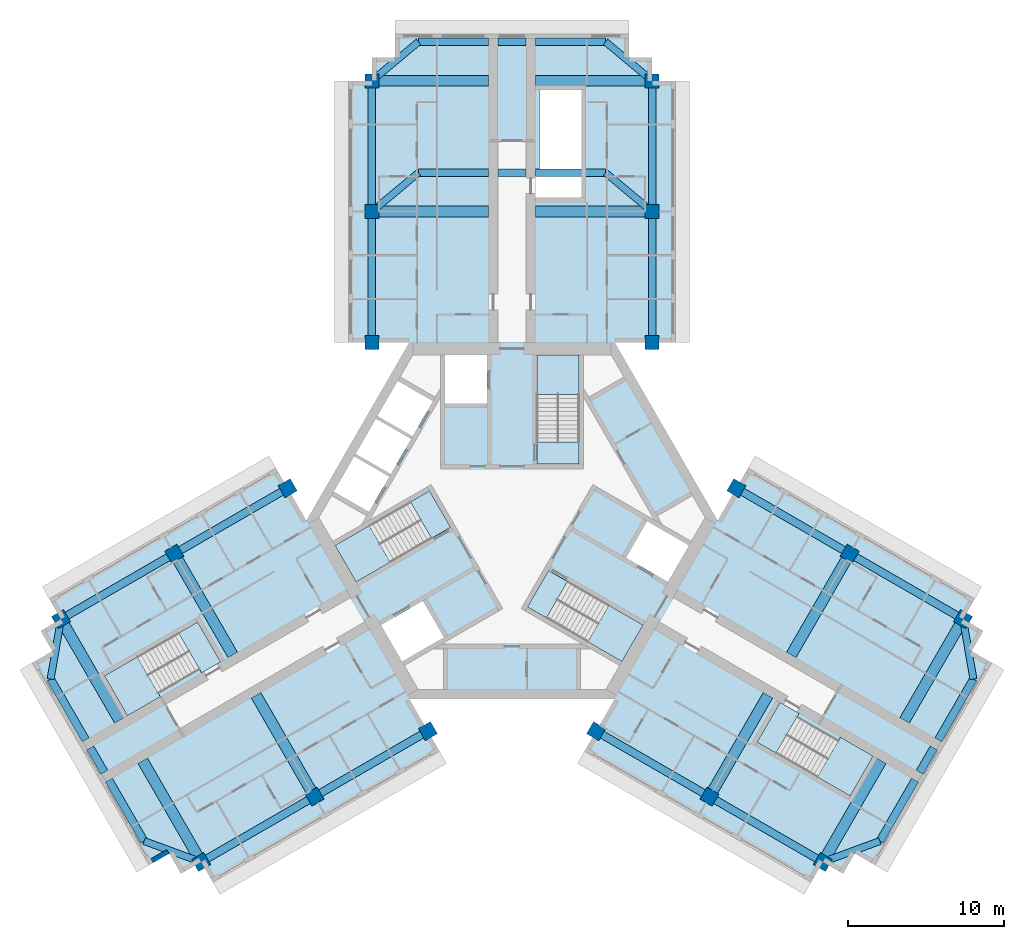
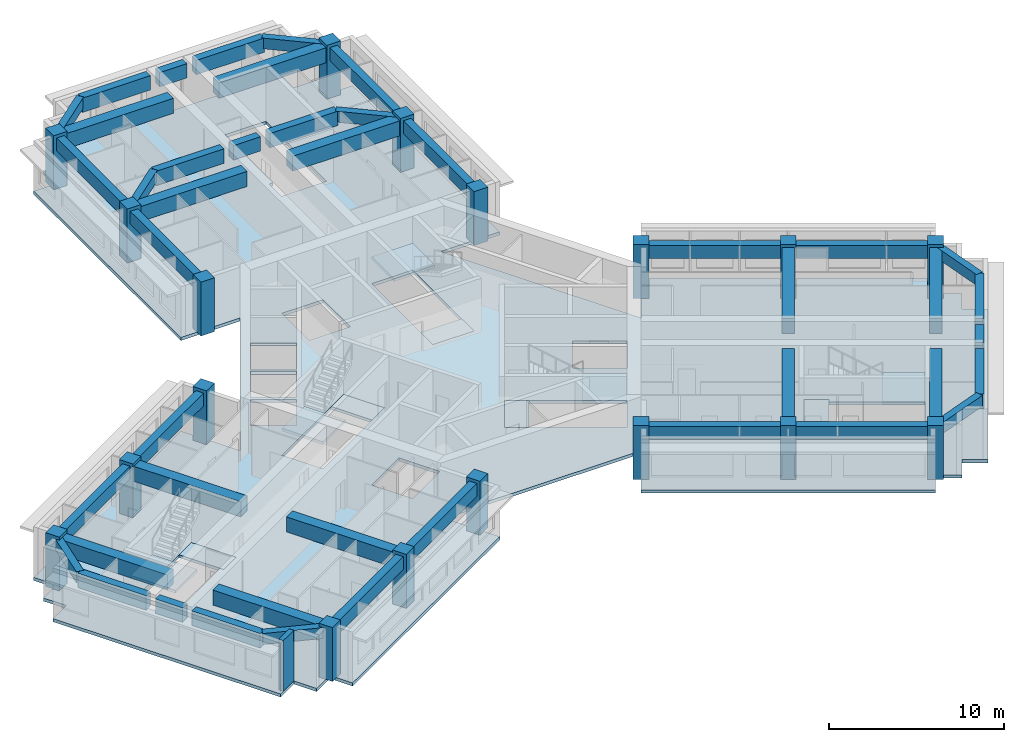
# One storey, part 1 of 10: 44 beams, 18 columns, 11 slabs, 1 wall, 5 elements without a shape of their own.
"""IFC4 building model written with IfcOpenShell, lengths in metres."""

from ifc_helpers import new_model, si_unit, direction, frame, frame_2d, origin, origin_2d, place, context, subcontext, project, spatial, polyline, rectangle, outline, extrude, material, layer, layer_set, material_profile, profile_set, type_object, element, aggregate, save


model = new_model("IFC4")

# Units and contexts
model_context = context("Model", 3, precision=1e-05, world=origin(), true_north=direction((0.0, 1.0)))
body_context = subcontext(model_context, "Body", "Model", "MODEL_VIEW")
ifc_project = project(units=[si_unit("LENGTHUNIT", "METRE"), si_unit("AREAUNIT", "SQUARE_METRE"), si_unit("VOLUMEUNIT", "CUBIC_METRE"), si_unit("PLANEANGLEUNIT", "RADIAN"), si_unit("MASSUNIT", "GRAM", prefix="KILO")], contexts=[model_context])

# Site, building, storey
site_placement = place(None, origin())
site = spatial("IfcSite", under=ifc_project, at=site_placement, CompositionType="ELEMENT")
building_placement = place(site_placement, origin())
building = spatial("IfcBuilding", under=site, at=building_placement, Name="Impinga Residences", CompositionType="ELEMENT")
storey_placement = place(building_placement, frame((0.0, 0.0, 271.0)))
storey = spatial("IfcBuildingStorey", under=building, at=storey_placement, Name="L68", CompositionType="ELEMENT", Elevation=271.0)

# Columns
ifc_material_1 = material(Name="Concrete C60/75", Category="concrete")
ifc_material_profile_1 = material_profile(ifc_material_1, rectangle(XDim=0.89990234375, YDim=0.89990234375, at=origin_2d()), Name="RC 900x900")
ifc_profile_set_1 = profile_set([ifc_material_profile_1], Name="Concrete C60/75")
column_type = type_object("IfcColumnType", Name="C5 900x900 column", PredefinedType="COLUMN", material=ifc_profile_set_1)
for number, where, z_axis, x_axis, name in (
    (1, (-9.0, 11.431640625, 0.0), (0.0, 0.0, 1.0), (1.0, 0.0, 0.0), "Column C5 N1/NA L68"),
    (2, (9.0, 11.431640625, 0.0), (0.0, 0.0, 1.0), (1.0, 0.0, 0.0), "Column C5 N1/NF L68"),
    (3, (-9.0, 19.83154296875, 0.0), (0.0, 0.0, 1.0), (1.0, 0.0, 0.0), "Column C5 N2/NA L68"),
    (4, (9.0, 19.83154296875, 0.0), (0.0, 0.0, 1.0), (1.0, 0.0, 0.0), "Column C5 N2/NF L68"),
    (5, (-9.0, 28.2314453125, 0.0), (0.0, 0.0, 1.0), (1.0, 0.0, 0.0), "Column C5 N3/NA L68"),
    (6, (9.0, 28.2314453125, 0.0), (0.0, 0.0, 1.0), (1.0, 0.0, 0.0), "Column C5 N3/NF L68"),
    (7, (-5.39990234375, -13.510009765625, 0.0), (0.0, 0.0, 1.0), (-0.5, 0.866025403784, 0.0), "Column C5 W1/WA L68"),
    (8, (-14.39990234375, 2.078369140625, 0.0), (0.0, 0.0, 1.0), (-0.5, 0.866025403784, 0.0), "Column C5 W1/WF L68"),
    (9, (-12.674560546875, -17.7099609375, 0.0), (0.0, 0.0, 1.0), (-0.5, 0.866025403784, 0.0), "Column C5 W2/WA L68"),
    (10, (-21.674560546875, -2.12158203125, 0.0), (0.0, 0.0, 1.0), (-0.5, 0.866025403784, 0.0), "Column C5 W2/WF L68"),
    (11, (-19.94921875, -21.909912109375, 0.0), (0.0, 0.0, 1.0), (-0.5, 0.866025403784, 0.0), "Column C5 W3/WA L68"),
    (12, (-28.94921875, -6.321533203125, 0.0), (0.0, 0.0, 1.0), (-0.5, 0.866025403784, 0.0), "Column C5 W3/WF L68"),
    (13, (14.39990234375, 2.078369140625, 0.0), (0.0, 0.0, 1.0), (-0.5, -0.866025403784, 0.0), "Column C5 E1/EA L68"),
    (14, (5.39990234375, -13.510009765625, 0.0), (0.0, 0.0, 1.0), (-0.5, -0.866025403784, 0.0), "Column C5 E1/EF L68"),
    (15, (21.674560546875, -2.12158203125, 0.0), (0.0, 0.0, 1.0), (-0.5, -0.866025403784, 0.0), "Column C5 E2/EA L68"),
    (16, (12.674560546875, -17.7099609375, 0.0), (0.0, 0.0, 1.0), (-0.5, -0.866025403784, 0.0), "Column C5 E2/EF L68"),
    (17, (28.94921875, -6.321533203125, 0.0), (0.0, 0.0, 1.0), (-0.5, -0.866025403784, 0.0), "Column C5 E3/EA L68"),
    (18, (19.94921875, -21.909912109375, 0.0), (0.0, 0.0, 1.0), (-0.5, -0.866025403784, 0.0), "Column C5 E3/EF L68"),
):
    element("IfcColumn", number, at=place(storey_placement, frame(where, z_axis=z_axis, x_axis=x_axis)), inside=storey, type_object=column_type, Name=name, PredefinedType="COLUMN", context=body_context, shape_type="SweptSolid", body=[
        extrude(rectangle(XDim=0.89990234375, YDim=0.89990234375, at=origin_2d()), origin(), (0.0, 0.0, 1.0), 3.75),
    ])

# Beams
ifc_material_profile_2 = material_profile(ifc_material_1, rectangle(XDim=0.449951171875, YDim=0.75, at=origin_2d()), Name="RC 450x750")
ifc_profile_set_2 = profile_set([ifc_material_profile_2], Name="Concrete C60/75")
beam_type_1 = type_object("IfcBeamType", Name="CB1 450x750 wing end cantilever beam", PredefinedType="BEAM", material=ifc_profile_set_2)
for number, where, z_axis, x_axis, name in (
    (19, (-9.0, 19.83154296875, 3.155029296875), (0.768221279597, 0.640184399664, 0.0), (-0.640184399664, 0.768221279597, 0.0), "Beam CB1 NB N2-NX level L69"),
    (20, (9.0, 19.83154296875, 3.155029296875), (-0.768221279597, 0.640184399664, 0.0), (-0.640184399664, -0.768221279597, 0.0), "Beam CB1 NE N2-NX level L69"),
    (21, (-9.0, 28.2314453125, 3.155029296875), (0.768221279597, 0.640184399664, 0.0), (-0.640184399664, 0.768221279597, 0.0), "Beam CB1 NB N3-NX level L69"),
    (22, (9.0, 28.2314453125, 3.155029296875), (-0.768221279597, 0.640184399664, 0.0), (-0.640184399664, -0.768221279597, 0.0), "Beam CB1 NE N3-NX level L69"),
    (23, (-19.94921875, -21.909912109375, 3.155029296875), (-0.93854043338, 0.345169313396, 0.0), (-0.345169313396, -0.93854043338, 0.0), "Beam CB1 WB W3-WX level L69"),
):
    element("IfcBeam", number, at=place(storey_placement, frame(where, z_axis=z_axis, x_axis=x_axis)), inside=storey, type_object=beam_type_1, Name=name, PredefinedType="BEAM", context=body_context, shape_type="SweptSolid", body=[
        extrude(rectangle(XDim=0.449951171875, YDim=0.75, at=origin_2d()), origin(), (0.0, 0.0, 1.0), 3.905029296875),
    ])
for number, where, z_axis, x_axis, name in (
    (24, (-28.94921875, -6.321533203125, 3.155029296875), (-0.170296298948, -0.985392901621, 0.0), (0.985392901621, -0.170296298948, 0.0), "Beam CB1 WE W3-WX level L69"),
    (25, (28.94921875, -6.321533203125, 3.155029296875), (0.170296298948, -0.985392901621, 0.0), (0.985392901621, 0.170296298948, 0.0), "Beam CB1 EB E3-EX level L69"),
):
    element("IfcBeam", number, at=place(storey_placement, frame(where, z_axis=z_axis, x_axis=x_axis)), inside=storey, type_object=beam_type_1, Name=name, PredefinedType="BEAM", context=body_context, shape_type="SweptSolid", body=[
        extrude(rectangle(XDim=0.449951171875, YDim=0.75, at=origin_2d()), origin(), (0.0, 0.0, 1.0), 3.9052734375),
    ])
beam_1_placement = place(storey_placement, frame((19.94921875, -21.909912109375, 3.155029296875), z_axis=(0.93854043338, 0.345169313396, 0.0), x_axis=(-0.345169313396, 0.93854043338, 0.0)))
element("IfcBeam", 26, at=beam_1_placement, inside=storey, type_object=beam_type_1, Name="Beam CB1 EE E3-EX level L69", PredefinedType="BEAM", context=body_context, shape_type="SweptSolid", body=[
    extrude(rectangle(XDim=0.449951171875, YDim=0.75, at=origin_2d()), origin(), (0.0, 0.0, 1.0), 3.905029296875),
])
ifc_material_profile_3 = material_profile(ifc_material_1, rectangle(XDim=0.699951171875, YDim=1.050048828125, at=origin_2d()), Name="RC 700x1050")
ifc_profile_set_3 = profile_set([ifc_material_profile_3], Name="Concrete C60/75")
beam_type_2 = type_object("IfcBeamType", Name="CG1 700x1050 cross girder on a wing bay line", PredefinedType="BEAM", material=ifc_profile_set_3)
for number, where, z_axis, x_axis, name in (
    (27, (-1.5, 19.83154296875, 3.0048828125), (-1.0, 0.0, 0.0), (0.0, -1.0, 0.0), "Beam CG1 N2 NC/NA level L69"),
    (28, (-1.5, 28.2314453125, 3.0048828125), (-1.0, 0.0, 0.0), (0.0, -1.0, 0.0), "Beam CG1 N3 NC/NA level L69"),
    (29, (1.5, 19.83154296875, 3.0048828125), (1.0, 0.0, 0.0), (0.0, 1.0, 0.0), "Beam CG1 N2 NC/NF level L69"),
    (30, (1.5, 28.2314453125, 3.0048828125), (1.0, 0.0, 0.0), (0.0, 1.0, 0.0), "Beam CG1 N3 NC/NF level L69"),
    (31, (-16.424560546875, -11.21484375, 3.0048828125), (0.500004234368, -0.866022959057, 0.0), (0.866022959057, 0.500004234368, 0.0), "Beam CG1 W2 WC/WA level L69"),
    (32, (-23.69921875, -15.414794921875, 3.0048828125), (0.500004234368, -0.866022959057, 0.0), (0.866022959057, 0.500004234368, 0.0), "Beam CG1 W3 WC/WA level L69"),
    (33, (-17.924560546875, -8.61669921875, 3.0048828125), (-0.500004234368, 0.866022959057, 0.0), (-0.866022959057, -0.500004234368, 0.0), "Beam CG1 W2 WC/WF level L69"),
    (34, (-25.19921875, -12.816650390625, 3.0048828125), (-0.500004234368, 0.866022959057, 0.0), (-0.866022959057, -0.500004234368, 0.0), "Beam CG1 W3 WC/WF level L69"),
    (35, (17.924560546875, -8.61669921875, 3.0048828125), (0.500004234368, 0.866022959057, 0.0), (-0.866022959057, 0.500004234368, 0.0), "Beam CG1 E2 EC/EA level L69"),
    (36, (25.19921875, -12.816650390625, 3.0048828125), (0.500004234368, 0.866022959057, 0.0), (-0.866022959057, 0.500004234368, 0.0), "Beam CG1 E3 EC/EA level L69"),
    (37, (16.424560546875, -11.21484375, 3.0048828125), (-0.500004234368, -0.866022959057, 0.0), (0.866022959057, -0.500004234368, 0.0), "Beam CG1 E2 EC/EF level L69"),
    (38, (23.69921875, -15.414794921875, 3.0048828125), (-0.500004234368, -0.866022959057, 0.0), (0.866022959057, -0.500004234368, 0.0), "Beam CG1 E3 EC/EF level L69"),
):
    element("IfcBeam", number, at=place(storey_placement, frame(where, z_axis=z_axis, x_axis=x_axis)), inside=storey, type_object=beam_type_2, Name=name, PredefinedType="BEAM", context=body_context, shape_type="SweptSolid", body=[
        extrude(rectangle(XDim=0.699951171875, YDim=1.050048828125, at=origin_2d()), origin(), (0.0, 0.0, 1.0), 7.5),
    ])
ifc_material_profile_4 = material_profile(ifc_material_1, rectangle(XDim=0.5, YDim=1.0, at=origin_2d()), Name="RC 500x1000")
ifc_profile_set_4 = profile_set([ifc_material_profile_4], Name="Concrete C60/75")
beam_type_3 = type_object("IfcBeamType", Name="EB1 500x1000 wing end beam", PredefinedType="BEAM", material=ifc_profile_set_4)
beam_2_placement = place(storey_placement, frame((-6.0, 22.33154296875, 3.030029296875), z_axis=(1.0, 0.0, 0.0), x_axis=(0.0, 1.0, 0.0)))
element("IfcBeam", 39, at=beam_2_placement, inside=storey, type_object=beam_type_3, Name="Beam EB1 NX1 level L69", PredefinedType="BEAM", context=body_context, shape_type="SweptSolid", body=[
    extrude(rectangle(XDim=0.5, YDim=1.0, at=origin_2d()), origin(), (0.0, 0.0, 1.0), 4.5),
])
beam_3_placement = place(storey_placement, frame((-0.89990234375, 22.33154296875, 3.030029296875), z_axis=(1.0, 0.0, 0.0), x_axis=(0.0, 1.0, 0.0)))
element("IfcBeam", 40, at=beam_3_placement, inside=storey, type_object=beam_type_3, Name="Beam EB1 NX1 level L69", PredefinedType="BEAM", context=body_context, shape_type="SweptSolid", body=[
    extrude(rectangle(XDim=0.5, YDim=1.0, at=origin_2d()), origin(), (0.0, 0.0, 1.0), 1.7998046875),
])
for number, where, z_axis, x_axis, name in (
    (41, (1.5, 22.33154296875, 3.030029296875), (1.0, 0.0, 0.0), (0.0, 1.0, 0.0), "Beam EB1 NX1 level L69"),
    (42, (-6.0, 30.7314453125, 3.030029296875), (1.0, 0.0, 0.0), (0.0, 1.0, 0.0), "Beam EB1 NX2 level L69"),
):
    element("IfcBeam", number, at=place(storey_placement, frame(where, z_axis=z_axis, x_axis=x_axis)), inside=storey, type_object=beam_type_3, Name=name, PredefinedType="BEAM", context=body_context, shape_type="SweptSolid", body=[
        extrude(rectangle(XDim=0.5, YDim=1.0, at=origin_2d()), origin(), (0.0, 0.0, 1.0), 4.5),
    ])
beam_4_placement = place(storey_placement, frame((-0.89990234375, 30.7314453125, 3.030029296875), z_axis=(1.0, 0.0, 0.0), x_axis=(0.0, 1.0, 0.0)))
element("IfcBeam", 43, at=beam_4_placement, inside=storey, type_object=beam_type_3, Name="Beam EB1 NX2 level L69", PredefinedType="BEAM", context=body_context, shape_type="SweptSolid", body=[
    extrude(rectangle(XDim=0.5, YDim=1.0, at=origin_2d()), origin(), (0.0, 0.0, 1.0), 1.7998046875),
])
for number, where, z_axis, x_axis, name in (
    (44, (1.5, 30.7314453125, 3.030029296875), (1.0, 0.0, 0.0), (0.0, 1.0, 0.0), "Beam EB1 NX2 level L69"),
    (45, (-23.6142578125, -20.56201171875, 3.030029296875), (-0.499990139034, 0.866031096941, 0.0), (-0.866031096941, -0.499990139034, 0.0), "Beam EB1 WX2 level L69"),
):
    element("IfcBeam", number, at=place(storey_placement, frame(where, z_axis=z_axis, x_axis=x_axis)), inside=storey, type_object=beam_type_3, Name=name, PredefinedType="BEAM", context=body_context, shape_type="SweptSolid", body=[
        extrude(rectangle(XDim=0.5, YDim=1.0, at=origin_2d()), origin(), (0.0, 0.0, 1.0), 4.5),
    ])
beam_5_placement = place(storey_placement, frame((-26.164306640625, -16.145263671875, 3.030029296875), z_axis=(-0.499961193289, 0.866047807691, 0.0), x_axis=(-0.866047807691, -0.499961193289, 0.0)))
element("IfcBeam", 46, at=beam_5_placement, inside=storey, type_object=beam_type_3, Name="Beam EB1 WX2 level L69", PredefinedType="BEAM", context=body_context, shape_type="SweptSolid", body=[
    extrude(rectangle(XDim=0.5, YDim=1.0, at=origin_2d()), origin(), (0.0, 0.0, 1.0), 1.800048828125),
])
for number, where, z_axis, x_axis, name in (
    (47, (-27.3642578125, -14.066650390625, 3.030029296875), (-0.500013631625, 0.866017533419, 0.0), (-0.866017533419, -0.500013631625, 0.0), "Beam EB1 WX2 level L69"),
    (48, (29.6142578125, -10.169677734375, 3.030029296875), (-0.500013631625, -0.866017533419, 0.0), (0.866017533419, -0.500013631625, 0.0), "Beam EB1 EX2 level L69"),
):
    element("IfcBeam", number, at=place(storey_placement, frame(where, z_axis=z_axis, x_axis=x_axis)), inside=storey, type_object=beam_type_3, Name=name, PredefinedType="BEAM", context=body_context, shape_type="SweptSolid", body=[
        extrude(rectangle(XDim=0.5, YDim=1.0, at=origin_2d()), origin(), (0.0, 0.0, 1.0), 4.499755859375),
    ])
beam_6_placement = place(storey_placement, frame((27.064208984375, -14.58642578125, 3.030029296875), z_axis=(-0.499961193289, -0.866047807691, 0.0), x_axis=(0.866047807691, -0.499961193289, 0.0)))
element("IfcBeam", 49, at=beam_6_placement, inside=storey, type_object=beam_type_3, Name="Beam EB1 EX2 level L69", PredefinedType="BEAM", context=body_context, shape_type="SweptSolid", body=[
    extrude(rectangle(XDim=0.5, YDim=1.0, at=origin_2d()), origin(), (0.0, 0.0, 1.0), 1.800048828125),
])
beam_7_placement = place(storey_placement, frame((25.8642578125, -16.664794921875, 3.030029296875), z_axis=(-0.499990139034, -0.866031096941, 0.0), x_axis=(0.866031096941, -0.499990139034, 0.0)))
element("IfcBeam", 50, at=beam_7_placement, inside=storey, type_object=beam_type_3, Name="Beam EB1 EX2 level L69", PredefinedType="BEAM", context=body_context, shape_type="SweptSolid", body=[
    extrude(rectangle(XDim=0.5, YDim=1.0, at=origin_2d()), origin(), (0.0, 0.0, 1.0), 4.5),
])
ifc_material_profile_5 = material_profile(ifc_material_1, rectangle(XDim=0.5, YDim=0.89990234375, at=origin_2d()), Name="RC 500x900")
ifc_profile_set_5 = profile_set([ifc_material_profile_5], Name="Concrete C60/75")
beam_type_4 = type_object("IfcBeamType", Name="SB1 500x900 perimeter spandrel beam", PredefinedType="SPANDREL", material=ifc_profile_set_5)
for number, where, z_axis, x_axis, name in (
    (51, (-9.0, 11.431640625, 3.080078125), (0.0, 1.0, 0.0), (-1.0, 0.0, 0.0), "Beam SB1 NA N1-N2 level L69"),
    (52, (-9.0, 19.83154296875, 3.080078125), (0.0, 1.0, 0.0), (-1.0, 0.0, 0.0), "Beam SB1 NA N2-N3 level L69"),
    (53, (9.0, 11.431640625, 3.080078125), (0.0, 1.0, 0.0), (-1.0, 0.0, 0.0), "Beam SB1 NF N1-N2 level L69"),
    (54, (9.0, 19.83154296875, 3.080078125), (0.0, 1.0, 0.0), (-1.0, 0.0, 0.0), "Beam SB1 NF N2-N3 level L69"),
    (55, (-5.39990234375, -13.510009765625, 3.080078125), (-0.86602925447, -0.499993330357, 0.0), (0.499993330357, -0.86602925447, 0.0), "Beam SB1 WA W1-W2 level L69"),
    (56, (-12.674560546875, -17.7099609375, 3.080078125), (-0.86602925447, -0.499993330357, 0.0), (0.499993330357, -0.86602925447, 0.0), "Beam SB1 WA W2-W3 level L69"),
    (57, (-14.39990234375, 2.078369140625, 3.080078125), (-0.86602925447, -0.499993330357, 0.0), (0.499993330357, -0.86602925447, 0.0), "Beam SB1 WF W1-W2 level L69"),
    (58, (-21.674560546875, -2.12158203125, 3.080078125), (-0.86602925447, -0.499993330357, 0.0), (0.499993330357, -0.86602925447, 0.0), "Beam SB1 WF W2-W3 level L69"),
    (59, (14.39990234375, 2.078369140625, 3.080078125), (0.86602925447, -0.499993330357, 0.0), (0.499993330357, 0.86602925447, 0.0), "Beam SB1 EA E1-E2 level L69"),
    (60, (21.674560546875, -2.12158203125, 3.080078125), (0.86602925447, -0.499993330357, 0.0), (0.499993330357, 0.86602925447, 0.0), "Beam SB1 EA E2-E3 level L69"),
    (61, (5.39990234375, -13.510009765625, 3.080078125), (0.86602925447, -0.499993330357, 0.0), (0.499993330357, 0.86602925447, 0.0), "Beam SB1 EF E1-E2 level L69"),
    (62, (12.674560546875, -17.7099609375, 3.080078125), (0.86602925447, -0.499993330357, 0.0), (0.499993330357, 0.86602925447, 0.0), "Beam SB1 EF E2-E3 level L69"),
):
    element("IfcBeam", number, at=place(storey_placement, frame(where, z_axis=z_axis, x_axis=x_axis)), inside=storey, type_object=beam_type_4, Name=name, PredefinedType="SPANDREL", context=body_context, shape_type="SweptSolid", body=[
        extrude(rectangle(XDim=0.5, YDim=0.89990234375, at=origin_2d()), origin(), (0.0, 0.0, 1.0), 8.39990234375),
    ])

# Slab
ifc_layer_1 = layer(ifc_material_1, 0.219970703125)
ifc_layer_set_1 = layer_set([ifc_layer_1], Name="Concrete C60/75")
slab_type_1 = type_object("IfcSlabType", Name="FS1 tower floor slab 220", PredefinedType="FLOOR", material=ifc_layer_set_1)
slab_1_placement = place(storey_placement, frame((0.0, 0.0, -0.219970703125)))
element("IfcSlab", 63, at=slab_1_placement, inside=storey, type_object=slab_type_1, Name="Floor slab FS1 L68", PredefinedType="FLOOR", context=body_context, shape_type="SweptSolid", body=[
    extrude(outline(polyline([(-19.94921875, -21.909912109375), (-21.248291015625, -22.659912109375), (-21.998291015625, -21.36083984375), (-23.29736328125, -22.11083984375), (-30.79736328125, -9.12060546875), (-29.498291015625, -8.37060546875), (-30.248291015625, -7.071533203125), (-28.94921875, -6.321533203125), (-29.69921875, -5.0224609375), (-15.14990234375, 3.37744140625), (-13.199951171875, 0.0), (-6.60009765625, 11.431640625), (-10.5, 11.431640625), (-10.5, 28.2314453125), (-9.0, 28.2314453125), (-9.0, 29.7314453125), (-7.5, 29.7314453125), (-7.5, 31.2314453125), (7.5, 31.2314453125), (7.5, 29.7314453125), (9.0, 29.7314453125), (9.0, 28.2314453125), (10.5, 28.2314453125), (10.5, 11.431640625), (6.60009765625, 11.431640625), (13.199951171875, 0.0), (15.14990234375, 3.37744140625), (29.69921875, -5.0224609375), (28.94921875, -6.321533203125), (30.248291015625, -7.071533203125), (29.498291015625, -8.37060546875), (30.79736328125, -9.12060546875), (23.29736328125, -22.11083984375), (21.998291015625, -21.36083984375), (21.248291015625, -22.659912109375), (19.94921875, -21.909912109375), (19.19921875, -23.208984375), (4.64990234375, -14.80908203125), (9.900146484375, -5.7158203125), (6.60009765625, -11.431640625), (-6.60009765625, -11.431640625), (-9.900146484375, -5.7158203125), (-4.64990234375, -14.80908203125), (-19.19921875, -23.208984375), (-19.94921875, -21.909912109375)]), holes=[polyline([(-18.7041015625, -9.066650390625), (-18.8291015625, -8.850341796875), (-18.8291015625, -8.850341796875), (-20.178955078125, -6.511962890625), (-21.391357421875, -7.2119140625), (-21.391357421875, -7.2119140625), (-26.154541015625, -9.9619140625), (-24.8046875, -12.30029296875), (-20.04150390625, -9.55029296875), (-19.91650390625, -9.766845703125), (-18.7041015625, -9.066650390625)]), polyline([(-5.72119140625, -5.150634765625), (-8.4072265625, -6.701416015625), (-7.05712890625, -9.039794921875), (-4.37109375, -7.489013671875), (-5.72119140625, -5.150634765625)]), polyline([(-5.293701171875, 1.908935546875), (-11.357177734375, -1.591796875), (-10.007080078125, -3.93017578125), (-3.943603515625, -0.429443359375), (-5.293701171875, 1.908935546875)]), polyline([(-7.878662109375, 2.816650390625), (-10.13037109375, 4.11669921875), (-11.430419921875, 1.864990234375), (-9.1787109375, 0.56494140625), (-7.878662109375, 2.816650390625)]), polyline([(-6.478759765625, 5.24169921875), (-8.73046875, 6.54150390625), (-10.0302734375, 4.2900390625), (-7.77880859375, 2.989990234375), (-6.478759765625, 5.24169921875)]), polyline([(-6.378662109375, 5.414794921875), (-5.07861328125, 7.66650390625), (-7.330322265625, 8.966552734375), (-8.63037109375, 6.71484375), (-6.378662109375, 5.414794921875)]), polyline([(-4.300048828125, 7.530029296875), (-1.60009765625, 7.530029296875), (-1.60009765625, 10.631591796875), (-4.300048828125, 10.631591796875), (-4.300048828125, 7.530029296875)]), polyline([(15.72900390625, -14.219482421875), (21.70458984375, -17.669677734375), (23.0546875, -15.331298828125), (18.29150390625, -12.581298828125), (18.41650390625, -12.36474609375), (17.2041015625, -11.664794921875), (15.72900390625, -14.219482421875)]), polyline([(0.99365234375, -5.538818359375), (7.05712890625, -9.039794921875), (8.4072265625, -6.701416015625), (2.34375, -3.20068359375), (0.99365234375, -5.538818359375)]), polyline([(7.3212890625, -2.37939453125), (10.007080078125, -3.93017578125), (11.357177734375, -1.591796875), (8.671142578125, -0.041015625), (7.3212890625, -2.37939453125)]), polyline([(4.300048828125, 3.6298828125), (4.300048828125, 10.631591796875), (1.60009765625, 10.631591796875), (1.60009765625, 3.6298828125), (4.300048828125, 3.6298828125)]), polyline([(1.75, 22.131591796875), (1.5, 22.131591796875), (1.5, 20.7314453125), (1.75, 20.7314453125), (4.449951171875, 20.7314453125), (4.449951171875, 22.131591796875), (4.449951171875, 27.631591796875), (1.75, 27.631591796875), (1.75, 22.131591796875)])]), origin(), (0.0, 0.0, 1.0), 0.219970703125),
])

# Stair, slabs
ifc_material_2 = material(Name="Concrete C40/50", Category="concrete")
stair_type_1 = type_object("IfcStairType", Name="STR core stair 3750 storey, 24 risers", PredefinedType="HALF_TURN_STAIR", material=ifc_material_2)
stair_1_placement = place(storey_placement, origin())
stair_1 = element("IfcStair", 64, at=stair_1_placement, inside=storey, type_object=stair_type_1, Name="Stair ST1 L68", PredefinedType="HALF_TURN_STAIR")
ifc_layer_2 = layer(ifc_material_2, 0.199951171875)
ifc_layer_set_2 = layer_set([ifc_layer_2], Name="Concrete C40/50")
slab_type_2 = type_object("IfcSlabType", Name="LS1 stair landing 200", PredefinedType="LANDING", material=ifc_layer_set_2)
slab_2_placement = place(storey_placement, frame((0.0, 0.0, -0.199951171875)))
slab_2 = element("IfcSlab", 65, at=slab_2_placement, type_object=slab_type_2, Name="ST1 landing 1", PredefinedType="LANDING", context=body_context, shape_type="SweptSolid", body=[
    extrude(outline(polyline([(1.60009765625, 3.6298828125), (4.300048828125, 3.6298828125), (4.300048828125, 5.0400390625), (1.60009765625, 5.0400390625), (1.60009765625, 3.6298828125)])), origin(), (0.0, 0.0, 1.0), 0.199951171875),
])
slab_3_placement = place(storey_placement, frame((0.0, 0.0, 1.675048828125)))
slab_3 = element("IfcSlab", 66, at=slab_3_placement, type_object=slab_type_2, Name="ST1 landing 2", PredefinedType="LANDING", context=body_context, shape_type="SweptSolid", body=[
    extrude(outline(polyline([(1.60009765625, 8.10009765625), (4.300048828125, 8.10009765625), (4.300048828125, 10.631591796875), (1.60009765625, 10.631591796875), (1.60009765625, 8.10009765625)])), origin(), (0.0, 0.0, 1.0), 0.199951171875),
])
aggregate(stair_1, [slab_2, slab_3])

stair_2_placement = place(storey_placement, origin())
stair_2 = element("IfcStair", 67, at=stair_2_placement, inside=storey, type_object=stair_type_1, Name="Stair ST2 L68", PredefinedType="HALF_TURN_STAIR")
slab_4_placement = place(storey_placement, frame((0.0, 0.0, -0.199951171875)))
slab_4 = element("IfcSlab", 68, at=slab_4_placement, type_object=slab_type_2, Name="ST2 landing 1", PredefinedType="LANDING", context=body_context, shape_type="SweptSolid", body=[
    extrude(outline(polyline([(-3.943603515625, -0.429443359375), (-5.293701171875, 1.908935546875), (-6.5146484375, 1.203857421875), (-5.164794921875, -1.13427734375), (-3.943603515625, -0.429443359375)])), origin(), (0.0, 0.0, 1.0), 0.199951171875),
])
slab_5_placement = place(storey_placement, frame((0.0, 0.0, 1.675048828125)))
slab_5 = element("IfcSlab", 69, at=slab_5_placement, type_object=slab_type_2, Name="ST2 landing 2", PredefinedType="LANDING", context=body_context, shape_type="SweptSolid", body=[
    extrude(outline(polyline([(-7.814697265625, -2.664306640625), (-9.164794921875, -0.326171875), (-11.357177734375, -1.591796875), (-10.007080078125, -3.93017578125), (-7.814697265625, -2.664306640625)])), origin(), (0.0, 0.0, 1.0), 0.199951171875),
])
aggregate(stair_2, [slab_4, slab_5])

stair_3_placement = place(storey_placement, origin())
stair_3 = element("IfcStair", 70, at=stair_3_placement, inside=storey, type_object=stair_type_1, Name="Stair ST3 L68", PredefinedType="HALF_TURN_STAIR")
slab_6_placement = place(storey_placement, frame((0.0, 0.0, -0.199951171875)))
slab_6 = element("IfcSlab", 71, at=slab_6_placement, type_object=slab_type_2, Name="ST3 landing 1", PredefinedType="LANDING", context=body_context, shape_type="SweptSolid", body=[
    extrude(outline(polyline([(2.34375, -3.20068359375), (0.99365234375, -5.538818359375), (2.21484375, -6.243896484375), (3.564697265625, -3.90576171875), (2.34375, -3.20068359375)])), origin(), (0.0, 0.0, 1.0), 0.199951171875),
])
slab_7_placement = place(storey_placement, frame((0.0, 0.0, 1.675048828125)))
slab_7 = element("IfcSlab", 72, at=slab_7_placement, type_object=slab_type_2, Name="ST3 landing 2", PredefinedType="LANDING", context=body_context, shape_type="SweptSolid", body=[
    extrude(outline(polyline([(6.21484375, -5.435546875), (4.86474609375, -7.77392578125), (7.05712890625, -9.039794921875), (8.4072265625, -6.701416015625), (6.21484375, -5.435546875)])), origin(), (0.0, 0.0, 1.0), 0.199951171875),
])
aggregate(stair_3, [slab_6, slab_7])

stair_type_2 = type_object("IfcStairType", Name="STR wing stair 3750 storey, 24 risers", PredefinedType="HALF_TURN_STAIR", material=ifc_material_2)
stair_4_placement = place(storey_placement, origin())
stair_4 = element("IfcStair", 73, at=stair_4_placement, inside=storey, type_object=stair_type_2, Name="Stair WS2 L68", PredefinedType="HALF_TURN_STAIR")
slab_8_placement = place(storey_placement, frame((0.0, 0.0, -0.199951171875)))
slab_8 = element("IfcSlab", 74, at=slab_8_placement, type_object=slab_type_2, Name="WS2 landing 1", PredefinedType="LANDING", context=body_context, shape_type="SweptSolid", body=[
    extrude(outline(polyline([(-18.7041015625, -9.066650390625), (-20.178955078125, -6.511962890625), (-21.400146484375, -7.217041015625), (-19.925048828125, -9.771728515625), (-18.7041015625, -9.066650390625)])), origin(), (0.0, 0.0, 1.0), 0.199951171875),
])
slab_9_placement = place(storey_placement, frame((0.0, 0.0, 1.675048828125)))
slab_9 = element("IfcSlab", 75, at=slab_9_placement, type_object=slab_type_2, Name="WS2 landing 2", PredefinedType="LANDING", context=body_context, shape_type="SweptSolid", body=[
    extrude(outline(polyline([(-22.5751953125, -11.3017578125), (-24.050048828125, -8.7470703125), (-26.154541015625, -9.9619140625), (-24.6796875, -12.516845703125), (-22.5751953125, -11.3017578125)])), origin(), (0.0, 0.0, 1.0), 0.199951171875),
])
aggregate(stair_4, [slab_8, slab_9])

stair_5_placement = place(storey_placement, origin())
stair_5 = element("IfcStair", 76, at=stair_5_placement, inside=storey, type_object=stair_type_2, Name="Stair WS3 L68", PredefinedType="HALF_TURN_STAIR")
slab_10_placement = place(storey_placement, frame((0.0, 0.0, -0.199951171875)))
slab_10 = element("IfcSlab", 77, at=slab_10_placement, type_object=slab_type_2, Name="WS3 landing 1", PredefinedType="LANDING", context=body_context, shape_type="SweptSolid", body=[
    extrude(outline(polyline([(17.2041015625, -11.664794921875), (15.72900390625, -14.219482421875), (16.9501953125, -14.924560546875), (18.425048828125, -12.369873046875), (17.2041015625, -11.664794921875)])), origin(), (0.0, 0.0, 1.0), 0.199951171875),
])
slab_11_placement = place(storey_placement, frame((0.0, 0.0, 1.675048828125)))
slab_11 = element("IfcSlab", 78, at=slab_11_placement, type_object=slab_type_2, Name="WS3 landing 2", PredefinedType="LANDING", context=body_context, shape_type="SweptSolid", body=[
    extrude(outline(polyline([(21.0751953125, -13.89990234375), (19.60009765625, -16.45458984375), (21.70458984375, -17.669677734375), (23.1796875, -15.11474609375), (21.0751953125, -13.89990234375)])), origin(), (0.0, 0.0, 1.0), 0.199951171875),
])
aggregate(stair_5, [slab_10, slab_11])

# Wall
ifc_material_3 = material(Name="Terracotta rainscreen on blockwork", Category="masonry")
ifc_layer_3 = layer(ifc_material_3, 0.300048828125)
ifc_layer_set_3 = layer_set([ifc_layer_3], Name="EW1 external wall, terracotta rainscreen on blockwork 300")
wall_type = type_object("IfcWallType", Name="EW1 external wall, terracotta rainscreen on blockwork 300", PredefinedType="SOLIDWALL", material=ifc_layer_set_3)
wall_placement = place(storey_placement, frame((-22.07763671875, -21.233642578125, 0.0), z_axis=(0.0, 0.0, 1.0), x_axis=(-0.866059708757, -0.499940577336, 0.0)))
element("IfcWall", 79, at=wall_placement, inside=storey, type_object=wall_type, Name="External wall EW1 L68", PredefinedType="SOLIDWALL", context=body_context, shape_type="SweptSolid", body=[
    extrude(rectangle(XDim=1.195068359375, YDim=0.300048828125, at=frame_2d((0.59765625, 0.0))), origin(), (0.0, 0.0, 1.0), 3.530029296875),
])

save(model, "model.ifc")
